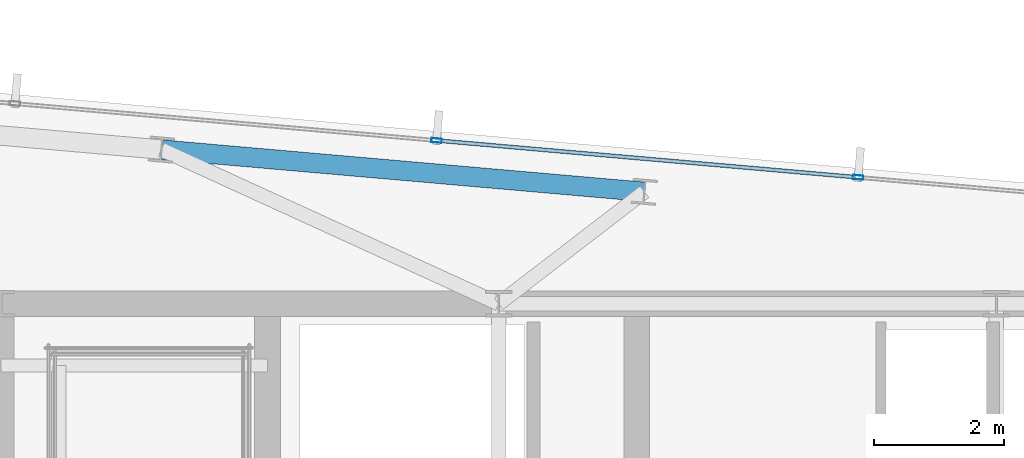
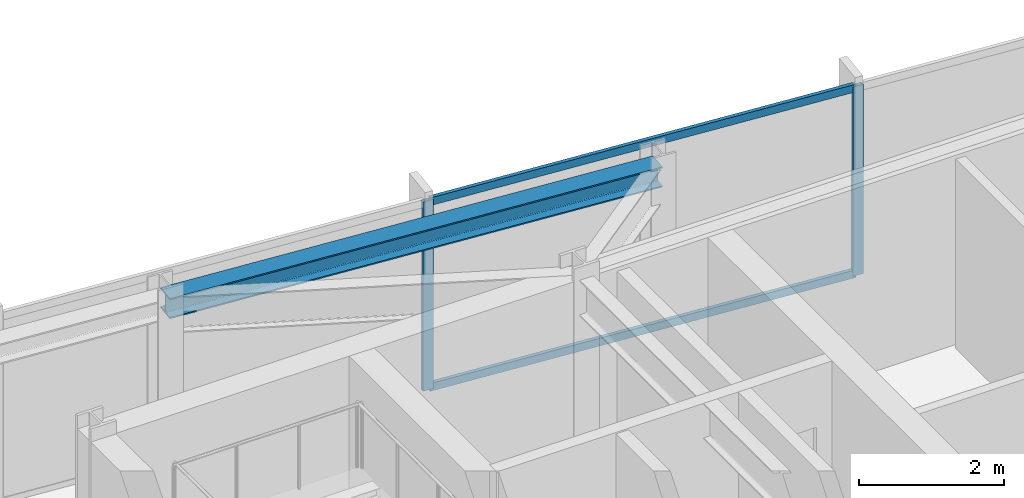
# One storey, part 25 of 32: 4 members, 1 beam, 1 element without a shape of its own.
"""IFC4 building model written with IfcOpenShell, lengths in metres."""

from ifc_helpers import new_model, si_unit, direction, frame, origin, origin_2d, place, context, subcontext, project, spatial, hollow_rectangle, i_section, extrude, material, material_profile, profile_set, type_object, element, aggregate, save


model = new_model("IFC4")

# Units and contexts
model_context = context("Model", 3, precision=1e-05, world=origin(), true_north=direction((0.0, 1.0)))
body_context = subcontext(model_context, "Body", "Model", "MODEL_VIEW")
ifc_project = project(units=[si_unit("LENGTHUNIT", "METRE"), si_unit("AREAUNIT", "SQUARE_METRE"), si_unit("VOLUMEUNIT", "CUBIC_METRE"), si_unit("PLANEANGLEUNIT", "RADIAN"), si_unit("MASSUNIT", "GRAM", prefix="KILO")], contexts=[model_context])

# Site, building, storey
site_placement = place(None, origin())
site = spatial("IfcSite", under=ifc_project, at=site_placement, CompositionType="ELEMENT")
building_placement = place(site_placement, origin())
building = spatial("IfcBuilding", under=site, at=building_placement, Name="Yelkora Congress Tower", CompositionType="ELEMENT")
storey_placement = place(building_placement, frame((0.0, 0.0, 259.10009765625)))
storey = spatial("IfcBuildingStorey", under=building, at=storey_placement, Name="L72", CompositionType="ELEMENT", Elevation=259.10009765625)

# Beam
ifc_material_1 = material(Name="Steel S355J2", Category="steel")
ifc_material_profile_1 = material_profile(ifc_material_1, i_section(OverallWidth=0.300048828125, OverallDepth=0.340087890625, WebThickness=0.011962890625, FlangeThickness=0.021484375, FilletRadius=0.027099609375, at=origin_2d()), Name="HEB 340")
ifc_profile_set_1 = profile_set([ifc_material_profile_1], Name="Steel S355J2")
beam_type = type_object("IfcBeamType", Name="BM-SPAN-HEB340", PredefinedType="SPANDREL", material=ifc_profile_set_1)
beam_placement = place(storey_placement, frame((32.968505859375, 47.927490234375, 3.010009765625), z_axis=(-0.996195771192, 0.087143476284, 0.0), x_axis=(-0.087143476284, -0.996195771192, 0.0)))
element("IfcBeam", 1, at=beam_placement, inside=storey, type_object=beam_type, Name="L72 Perimeter Beam 10", PredefinedType="SPANDREL", context=body_context, shape_type="SweptSolid", body=[
    extrude(i_section(OverallWidth=0.300048828125, OverallDepth=0.340087890625, WebThickness=0.011962890625, FlangeThickness=0.021484375, FilletRadius=0.027099609375, at=origin_2d()), origin(), (0.0, 0.0, 1.0), 7.483154296875),
])

# Curtain wall, members
ifc_material_2 = material(Name="Anodised aluminium and insulated glass", Category="aluminium")
curtain_wall_type = type_object("IfcCurtainWallType", Name="CW-SYS-B5", PredefinedType="NOTDEFINED", material=ifc_material_2)
curtain_wall_placement = place(storey_placement, origin())
curtain_wall = element("IfcCurtainWall", 2, at=curtain_wall_placement, inside=storey, type_object=curtain_wall_type, Name="L72 Unitised Curtain Wall 10", PredefinedType="NOTDEFINED")
ifc_material_3 = material(Name="Anodised aluminium 6063-T6", Category="aluminium")
ifc_material_profile_2 = material_profile(ifc_material_3, hollow_rectangle(XDim=0.06494140625, YDim=0.159912109375, WallThickness=0.00390625, at=origin_2d()), Name="ALU 65x160x4")
ifc_profile_set_2 = profile_set([ifc_material_profile_2], Name="Anodised aluminium 6063-T6")
member_type_1 = type_object("IfcMemberType", Name="MEM-ML-B5", PredefinedType="MULLION", material=ifc_profile_set_2)
member_1_placement = place(storey_placement, frame((29.759765625, 48.719970703125, 0.0), z_axis=(0.0, 0.0, 1.0), x_axis=(0.087156639893, 0.996194619601, 0.0)))
member_1 = element("IfcMember", 3, at=member_1_placement, type_object=member_type_1, Name="CW-B5 mullion 4", PredefinedType="MULLION", context=body_context, shape_type="SweptSolid", body=[
    extrude(hollow_rectangle(XDim=0.06494140625, YDim=0.159912109375, WallThickness=0.00390625, at=origin_2d()), origin(), (0.0, 0.0, 1.0), 3.179931640625),
])
member_2_placement = place(storey_placement, frame((36.266357421875, 48.15087890625, 0.0), z_axis=(0.0, 0.0, 1.0), x_axis=(0.087156639893, 0.996194619601, 0.0)))
member_2 = element("IfcMember", 4, at=member_2_placement, type_object=member_type_1, Name="CW-B5 mullion 5", PredefinedType="MULLION", context=body_context, shape_type="SweptSolid", body=[
    extrude(hollow_rectangle(XDim=0.06494140625, YDim=0.159912109375, WallThickness=0.00390625, at=origin_2d()), origin(), (0.0, 0.0, 1.0), 3.179931640625),
])
ifc_material_profile_3 = material_profile(ifc_material_3, hollow_rectangle(XDim=0.06005859375, YDim=0.1298828125, WallThickness=0.00390625, at=origin_2d()), Name="ALU 60x130x4")
ifc_profile_set_3 = profile_set([ifc_material_profile_3], Name="Anodised aluminium 6063-T6")
member_type_2 = type_object("IfcMemberType", Name="MEM-TR-B5", PredefinedType="USERDEFINED", material=ifc_profile_set_3)
member_3_placement = place(storey_placement, frame((29.7919921875, 48.71728515625, 0.02978515625), z_axis=(0.996192979814, -0.08717538052, 0.0), x_axis=(0.08717538052, 0.996192979814, 0.0)))
member_3 = element("IfcMember", 5, at=member_3_placement, type_object=member_type_2, Name="CW-B5 transom 4.1", ObjectType="TRANSOM", PredefinedType="USERDEFINED", context=body_context, shape_type="SweptSolid", body=[
    extrude(hollow_rectangle(XDim=0.06005859375, YDim=0.1298828125, WallThickness=0.00390625, at=origin_2d()), origin(), (0.0, 0.0, 1.0), 6.466552734375),
])
member_4_placement = place(storey_placement, frame((29.7919921875, 48.71728515625, 3.14990234375), z_axis=(0.996192979814, -0.08717538052, 0.0), x_axis=(0.08717538052, 0.996192979814, 0.0)))
member_4 = element("IfcMember", 6, at=member_4_placement, type_object=member_type_2, Name="CW-B5 transom 4.2", ObjectType="TRANSOM", PredefinedType="USERDEFINED", context=body_context, shape_type="SweptSolid", body=[
    extrude(hollow_rectangle(XDim=0.06005859375, YDim=0.1298828125, WallThickness=0.00390625, at=origin_2d()), origin(), (0.0, 0.0, 1.0), 6.466552734375),
])
aggregate(curtain_wall, [member_1, member_2, member_3, member_4])

save(model, "model.ifc")
